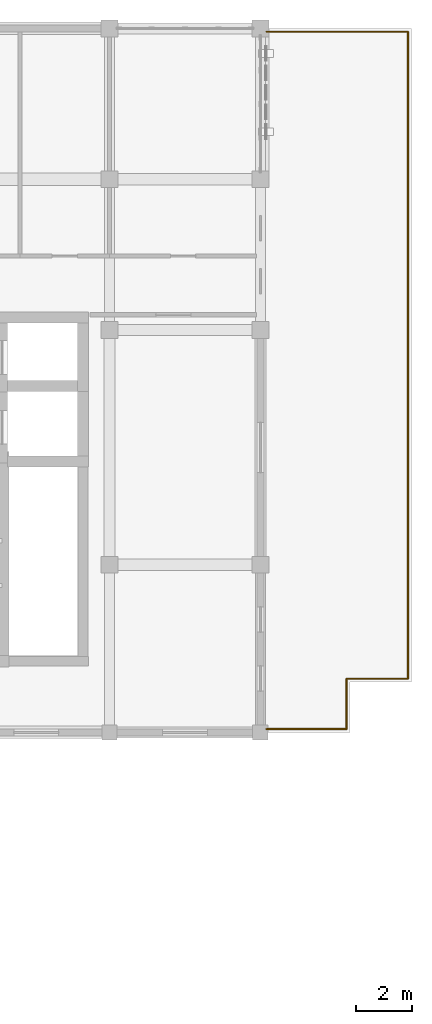
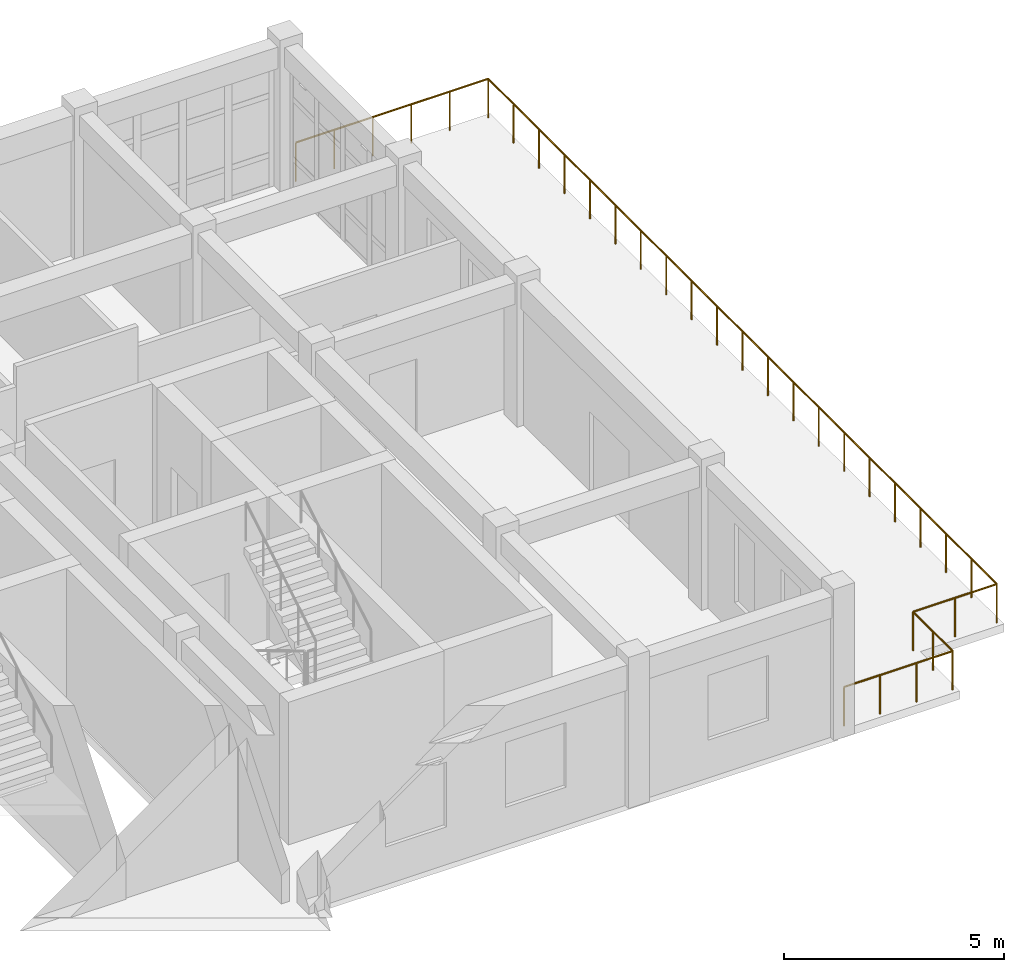
# One storey, part 21 of 21: 5 railings.
"""IFC4 building model written with IfcOpenShell, lengths in metres."""

from ifc_helpers import new_model, si_unit, direction, frame, origin, origin_2d, place, context, subcontext, project, spatial, circle, extrude, material, type_object, element, save


model = new_model("IFC4")

# Units and contexts
model_context = context("Model", 3, precision=1e-05, world=origin(), true_north=direction((0.0, 1.0)))
body_context = subcontext(model_context, "Body", "Model", "MODEL_VIEW")
ifc_project = project(units=[si_unit("LENGTHUNIT", "METRE"), si_unit("AREAUNIT", "SQUARE_METRE"), si_unit("VOLUMEUNIT", "CUBIC_METRE"), si_unit("PLANEANGLEUNIT", "RADIAN"), si_unit("MASSUNIT", "GRAM", prefix="KILO")], contexts=[model_context])

# Site, building, storey
site_placement = place(None, origin())
site = spatial("IfcSite", under=ifc_project, at=site_placement, CompositionType="ELEMENT")
building_placement = place(site_placement, origin())
building = spatial("IfcBuilding", under=site, at=building_placement, Name="Krzemoval Escarpment Law Courts", CompositionType="ELEMENT")
storey_placement = place(building_placement, frame((0.0, 0.0, 37.800048828125)))
storey = spatial("IfcBuildingStorey", under=building, at=storey_placement, Name="L08", CompositionType="ELEMENT", Elevation=37.800048828125)

# Railings
ifc_material = material(Name="Stainless Steel Grade 316L and Laminated Safety Glass Guard", Category="steel")
railing_type = type_object("IfcRailingType", Name="RL-BAL-1100", PredefinedType="BALUSTRADE", material=ifc_material)
railing_1_placement = place(storey_placement, frame((156.820068359375, 118.679931640625, 0.0)))
element("IfcRailing", 1, at=railing_1_placement, inside=storey, type_object=railing_type, Name="Terrace Guardrail BG-L08-042", PredefinedType="BALUSTRADE", context=body_context, shape_type="SweptSolid", body=[
    extrude(circle(Radius=0.02392578125, at=origin_2d()), frame((0.0, 0.0, 1.076171875), z_axis=(1.0, 0.0, 0.0), x_axis=(0.0, 1.0, 0.0)), (0.0, 0.0, 1.0), 5.059814453125),
    extrude(circle(Radius=0.02099609375, at=origin_2d()), origin(), (0.0, 0.0, 1.0), 1.052001953125),
    extrude(circle(Radius=0.02099609375, at=origin_2d()), frame((1.011962890625, 0.0, 0.0)), (0.0, 0.0, 1.0), 1.052001953125),
    extrude(circle(Radius=0.02099609375, at=origin_2d()), frame((2.02392578125, 0.0, 0.0)), (0.0, 0.0, 1.0), 1.052001953125),
    extrude(circle(Radius=0.02099609375, at=origin_2d()), frame((3.035888671875, 0.0, 0.0)), (0.0, 0.0, 1.0), 1.052001953125),
    extrude(circle(Radius=0.02099609375, at=origin_2d()), frame((4.0478515625, 0.0, 0.0)), (0.0, 0.0, 1.0), 1.052001953125),
    extrude(circle(Radius=0.02099609375, at=origin_2d()), frame((5.059814453125, 0.0, 0.0)), (0.0, 0.0, 1.0), 1.052001953125),
])
railing_2_placement = place(storey_placement, frame((161.8798828125, 118.679931640625, 0.0)))
element("IfcRailing", 2, at=railing_2_placement, inside=storey, type_object=railing_type, Name="Terrace Guardrail BG-L08-043", PredefinedType="BALUSTRADE", context=body_context, shape_type="SweptSolid", body=[
    extrude(circle(Radius=0.02392578125, at=origin_2d()), frame((0.0, 0.0, 1.076171875), z_axis=(0.0, -1.0, 0.0), x_axis=(1.0, 0.0, 0.0)), (0.0, 0.0, 1.0), 23.159912109375),
    extrude(circle(Radius=0.02099609375, at=origin_2d()), origin(), (0.0, 0.0, 1.0), 1.052001953125),
    extrude(circle(Radius=0.02099609375, at=origin_2d()), frame((0.0, -1.157958984375, 0.0)), (0.0, 0.0, 1.0), 1.052001953125),
    extrude(circle(Radius=0.02099609375, at=origin_2d()), frame((0.0, -2.31591796875, 0.0)), (0.0, 0.0, 1.0), 1.052001953125),
    extrude(circle(Radius=0.02099609375, at=origin_2d()), frame((0.0, -3.473876953125, 0.0)), (0.0, 0.0, 1.0), 1.052001953125),
    extrude(circle(Radius=0.02099609375, at=origin_2d()), frame((0.0, -4.632080078125, 0.0)), (0.0, 0.0, 1.0), 1.052001953125),
    extrude(circle(Radius=0.02099609375, at=origin_2d()), frame((0.0, -5.7900390625, 0.0)), (0.0, 0.0, 1.0), 1.052001953125),
    extrude(circle(Radius=0.02099609375, at=origin_2d()), frame((0.0, -6.947998046875, 0.0)), (0.0, 0.0, 1.0), 1.052001953125),
    extrude(circle(Radius=0.02099609375, at=origin_2d()), frame((0.0, -8.10595703125, 0.0)), (0.0, 0.0, 1.0), 1.052001953125),
    extrude(circle(Radius=0.02099609375, at=origin_2d()), frame((0.0, -9.263916015625, 0.0)), (0.0, 0.0, 1.0), 1.052001953125),
    extrude(circle(Radius=0.02099609375, at=origin_2d()), frame((0.0, -10.421875, 0.0)), (0.0, 0.0, 1.0), 1.052001953125),
    extrude(circle(Radius=0.02099609375, at=origin_2d()), frame((0.0, -11.580078125, 0.0)), (0.0, 0.0, 1.0), 1.052001953125),
    extrude(circle(Radius=0.02099609375, at=origin_2d()), frame((0.0, -12.738037109375, 0.0)), (0.0, 0.0, 1.0), 1.052001953125),
    extrude(circle(Radius=0.02099609375, at=origin_2d()), frame((0.0, -13.89599609375, 0.0)), (0.0, 0.0, 1.0), 1.052001953125),
    extrude(circle(Radius=0.02099609375, at=origin_2d()), frame((0.0, -15.053955078125, 0.0)), (0.0, 0.0, 1.0), 1.052001953125),
    extrude(circle(Radius=0.02099609375, at=origin_2d()), frame((0.0, -16.2119140625, 0.0)), (0.0, 0.0, 1.0), 1.052001953125),
    extrude(circle(Radius=0.02099609375, at=origin_2d()), frame((0.0, -17.369873046875, 0.0)), (0.0, 0.0, 1.0), 1.052001953125),
    extrude(circle(Radius=0.02099609375, at=origin_2d()), frame((0.0, -18.52783203125, 0.0)), (0.0, 0.0, 1.0), 1.052001953125),
    extrude(circle(Radius=0.02099609375, at=origin_2d()), frame((0.0, -19.68603515625, 0.0)), (0.0, 0.0, 1.0), 1.052001953125),
    extrude(circle(Radius=0.02099609375, at=origin_2d()), frame((0.0, -20.843994140625, 0.0)), (0.0, 0.0, 1.0), 1.052001953125),
    extrude(circle(Radius=0.02099609375, at=origin_2d()), frame((0.0, -22.001953125, 0.0)), (0.0, 0.0, 1.0), 1.052001953125),
    extrude(circle(Radius=0.02099609375, at=origin_2d()), frame((0.0, -23.159912109375, 0.0)), (0.0, 0.0, 1.0), 1.052001953125),
])
railing_3_placement = place(storey_placement, frame((161.8798828125, 95.52001953125, 0.0)))
element("IfcRailing", 3, at=railing_3_placement, inside=storey, type_object=railing_type, Name="Terrace Guardrail BG-L08-044", PredefinedType="BALUSTRADE", context=body_context, shape_type="SweptSolid", body=[
    extrude(circle(Radius=0.02392578125, at=origin_2d()), frame((0.0, 0.0, 1.076171875), z_axis=(-1.0, 0.0, 0.0), x_axis=(0.0, -1.0, 0.0)), (0.0, 0.0, 1.0), 2.199951171875),
    extrude(circle(Radius=0.02099609375, at=origin_2d()), origin(), (0.0, 0.0, 1.0), 1.052001953125),
    extrude(circle(Radius=0.02099609375, at=origin_2d()), frame((-1.10009765625, 0.0, 0.0)), (0.0, 0.0, 1.0), 1.052001953125),
    extrude(circle(Radius=0.02099609375, at=origin_2d()), frame((-2.199951171875, 0.0, 0.0)), (0.0, 0.0, 1.0), 1.052001953125),
])
railing_4_placement = place(storey_placement, frame((159.679931640625, 95.52001953125, 0.0)))
element("IfcRailing", 4, at=railing_4_placement, inside=storey, type_object=railing_type, Name="Terrace Guardrail BG-L08-045", PredefinedType="BALUSTRADE", context=body_context, shape_type="SweptSolid", body=[
    extrude(circle(Radius=0.02392578125, at=origin_2d()), frame((0.0, 0.0, 1.076171875), z_axis=(0.0, -1.0, 0.0), x_axis=(1.0, 0.0, 0.0)), (0.0, 0.0, 1.0), 1.800048828125),
    extrude(circle(Radius=0.02099609375, at=origin_2d()), origin(), (0.0, 0.0, 1.0), 1.052001953125),
    extrude(circle(Radius=0.02099609375, at=origin_2d()), frame((0.0, -0.89990234375, 0.0)), (0.0, 0.0, 1.0), 1.052001953125),
    extrude(circle(Radius=0.02099609375, at=origin_2d()), frame((0.0, -1.800048828125, 0.0)), (0.0, 0.0, 1.0), 1.052001953125),
])
railing_5_placement = place(storey_placement, frame((159.679931640625, 93.719970703125, 0.0)))
element("IfcRailing", 5, at=railing_5_placement, inside=storey, type_object=railing_type, Name="Terrace Guardrail BG-L08-046", PredefinedType="BALUSTRADE", context=body_context, shape_type="SweptSolid", body=[
    extrude(circle(Radius=0.02392578125, at=origin_2d()), frame((0.0, 0.0, 1.076171875), z_axis=(-1.0, 0.0, 0.0), x_axis=(0.0, -1.0, 0.0)), (0.0, 0.0, 1.0), 2.85986328125),
    extrude(circle(Radius=0.02099609375, at=origin_2d()), origin(), (0.0, 0.0, 1.0), 1.052001953125),
    extrude(circle(Radius=0.02099609375, at=origin_2d()), frame((-0.953369140625, 0.0, 0.0)), (0.0, 0.0, 1.0), 1.052001953125),
    extrude(circle(Radius=0.02099609375, at=origin_2d()), frame((-1.906494140625, 0.0, 0.0)), (0.0, 0.0, 1.0), 1.052001953125),
    extrude(circle(Radius=0.02099609375, at=origin_2d()), frame((-2.85986328125, 0.0, 0.0)), (0.0, 0.0, 1.0), 1.052001953125),
])

save(model, "model.ifc")
